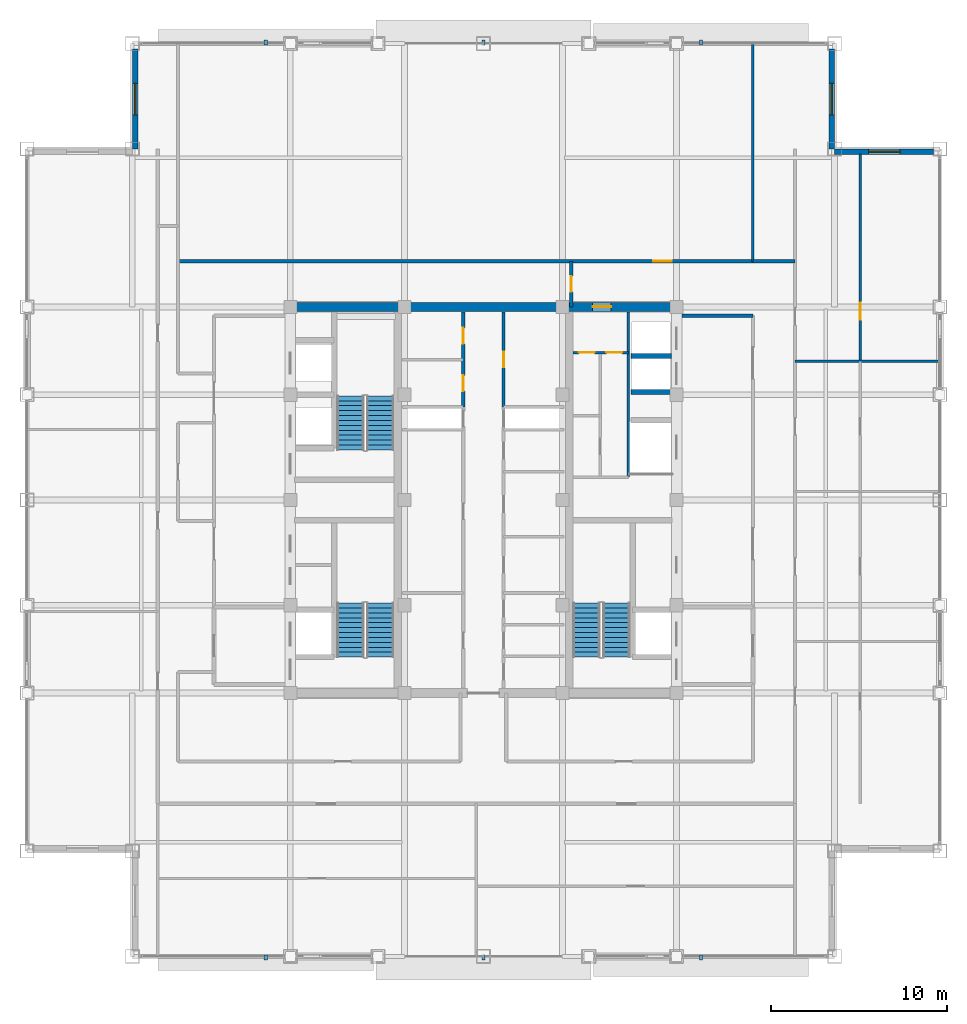
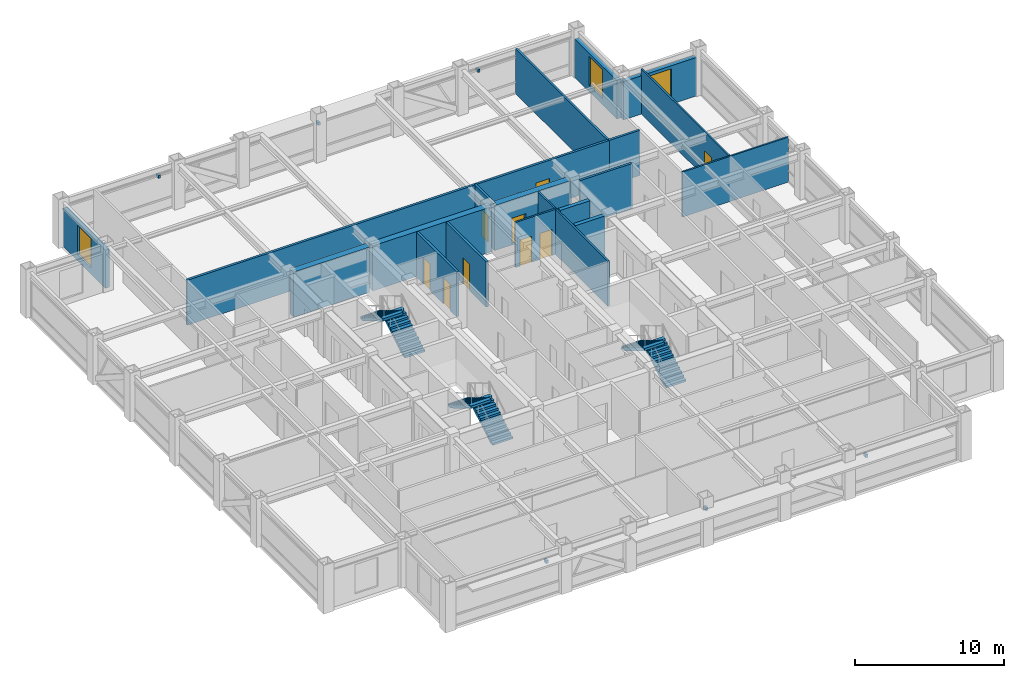
# One storey, part 27 of 32: 19 walls, 9 doors, 6 discrete accessories, 6 stair flights, 3 windows, 12 openings, 3 elements without a shape of their own.
"""IFC4 building model written with IfcOpenShell, lengths in metres."""

from ifc_helpers import new_model, si_unit, direction, frame, frame_2d, origin, origin_2d, place, context, subcontext, project, spatial, polyline, rectangle, outline, extrude, source, transform, mapped, material, layer, layer_set, type_object, element, fill, aggregate, save


model = new_model("IFC4")

# Units and contexts
model_context = context("Model", 3, precision=1e-05, world=origin(), true_north=direction((0.0, 1.0)))
body_context = subcontext(model_context, "Body", "Model", "MODEL_VIEW")
ifc_project = project(units=[si_unit("LENGTHUNIT", "METRE"), si_unit("AREAUNIT", "SQUARE_METRE"), si_unit("VOLUMEUNIT", "CUBIC_METRE"), si_unit("PLANEANGLEUNIT", "RADIAN"), si_unit("MASSUNIT", "GRAM", prefix="KILO")], contexts=[model_context])

# Site, building, storey
site_placement = place(None, origin())
site = spatial("IfcSite", under=ifc_project, at=site_placement, CompositionType="ELEMENT")
building_placement = place(site_placement, origin())
building = spatial("IfcBuilding", under=site, at=building_placement, Name="Khorayat Bourse Tower", CompositionType="ELEMENT")
storey_placement = place(building_placement, frame((0.0, 0.0, 342.300048828125)))
storey = spatial("IfcBuildingStorey", under=building, at=storey_placement, Name="L81", CompositionType="ELEMENT", Elevation=342.300048828125)

# Wall
ifc_material_1 = material(Name="Concrete C52/65", Category="concrete")
ifc_layer_1 = layer(ifc_material_1, 0.5)
ifc_layer_set_1 = layer_set([ifc_layer_1], Name="Concrete C52/65")
wall_type_1 = type_object("IfcWallType", Name="WAL-CORE-500", PredefinedType="SHEAR", material=ifc_layer_set_1)
shared_shape_1 = source(origin(), body_context, "Body", "SweptSolid", [
    extrude(rectangle(XDim=5.89990234375, YDim=0.5, at=frame_2d((2.949951171875, 0.0))), origin(), (0.0, 0.0, 1.0), 3.699951171875),
])
wall_1_placement = place(storey_placement, frame((-10.75, 11.0, 0.0), z_axis=(0.0, 0.0, 1.0), x_axis=(1.0, 0.0, 0.0)))
element("IfcWall", 1, at=wall_1_placement, inside=storey, type_object=wall_type_1, Name="L81 Core Shear Wall PIER-WN", PredefinedType="SHEAR", context=body_context, shape_type="MappedRepresentation", body=[
    mapped(shared_shape_1, transform((0.0, 0.0, 0.0), scale=1.0)),
])

# Wall, opening, door
wall_2_placement = place(storey_placement, frame((4.85009765625, 11.0, 0.0), z_axis=(0.0, 0.0, 1.0), x_axis=(1.0, 0.0, 0.0)))
wall_2 = element("IfcWall", 2, at=wall_2_placement, inside=storey, type_object=wall_type_1, Name="L81 Core Shear Wall PIER-EN", PredefinedType="SHEAR", context=body_context, shape_type="MappedRepresentation", body=[
    mapped(shared_shape_1, transform((0.0, 0.0, 0.0), scale=1.0)),
])
shared_shape_2 = source(origin(), body_context, "Body", "SweptSolid", [
    extrude(rectangle(XDim=1.050048828125, YDim=2.199951171875, at=frame_2d((0.52490234375, 1.10009765625))), frame((0.0, 0.260009765625, 0.0), z_axis=(0.0, -1.0, 0.0), x_axis=(1.0, 0.0, 0.0)), (0.0, 0.0, 1.0), 0.52001953125),
])
opening_1_placement = place(wall_2_placement, frame((1.375, 0.0, 0.0)))
opening_1 = element("IfcOpeningElement", 3, at=opening_1_placement, cuts=wall_2, Name="Opening DI-04", PredefinedType="OPENING", context=body_context, shape_type="MappedRepresentation", body=[
    mapped(shared_shape_2, transform((0.0, 0.0, 0.0), scale=1.0)),
])
ifc_material_2 = material(Name="Fire-rated oak veneer suite entrance door")
door_type_1 = type_object("IfcDoorType", Name="DR-INT-SUITE-1050", OperationType="NOTDEFINED", PredefinedType="DOOR", material=ifc_material_2)
shared_shape_3 = source(origin(), body_context, "Body", "SweptSolid", [
    extrude(rectangle(XDim=1.050048828125, YDim=2.199951171875, at=frame_2d((0.52490234375, 1.10009765625))), frame((0.0, 0.02490234375, 0.0), z_axis=(0.0, -1.0, 0.0), x_axis=(1.0, 0.0, 0.0)), (0.0, 0.0, 1.0), 0.050048828125),
])
door_1_placement = place(opening_1_placement, origin())
door_1 = element("IfcDoor", 4, at=door_1_placement, inside=storey, type_object=door_type_1, Name="L81 Core Washroom Lobby Door", OperationType="SINGLE_SWING_LEFT", OverallHeight=2.199951171875, OverallWidth=1.050048828125, PredefinedType="DOOR", context=body_context, shape_type="MappedRepresentation", body=[
    mapped(shared_shape_3, transform((0.0, 0.0, 0.0), scale=1.0)),
])
fill(opening_1, door_1)

# Wall
shared_shape_4 = source(origin(), body_context, "Body", "SweptSolid", [
    extrude(rectangle(XDim=9.2001953125, YDim=0.5, at=frame_2d((4.60009765625, 0.0))), origin(), (0.0, 0.0, 1.0), 3.699951171875),
])
wall_3_placement = place(storey_placement, frame((-4.60009765625, 11.0, 0.0), z_axis=(0.0, 0.0, 1.0), x_axis=(1.0, 0.0, 0.0)))
element("IfcWall", 5, at=wall_3_placement, inside=storey, type_object=wall_type_1, Name="L81 Core Shear Wall CORE-N", PredefinedType="SHEAR", context=body_context, shape_type="MappedRepresentation", body=[
    mapped(shared_shape_4, transform((0.0, 0.0, 0.0), scale=1.0)),
])

# Wall, opening, window
ifc_material_3 = material(Name="Precast concrete C45/55", Category="concrete")
ifc_layer_2 = layer(ifc_material_3, 0.320068359375)
ifc_layer_set_2 = layer_set([ifc_layer_2], Name="Precast concrete C45/55")
wall_type_2 = type_object("IfcWallType", Name="WAL-EXT-STONE-320", PredefinedType="STANDARD", material=ifc_layer_set_2)
shared_shape_5 = source(origin(), body_context, "Body", "SweptSolid", [
    extrude(rectangle(XDim=5.679931640625, YDim=0.320068359375, at=frame_2d((2.83984375, 0.0))), origin(), (0.0, 0.0, 1.0), 3.15087890625),
])
wall_4_placement = place(storey_placement, frame((20.0, 19.840087890625, 0.0), z_axis=(0.0, 0.0, 1.0), x_axis=(1.0, 0.0, 0.0)))
wall_4 = element("IfcWall", 6, at=wall_4_placement, inside=storey, type_object=wall_type_2, Name="L81 Re-Entrant Notch Limestone Wall NE-H", PredefinedType="STANDARD", context=body_context, shape_type="MappedRepresentation", body=[
    mapped(shared_shape_5, transform((0.0, 0.0, 0.0), scale=1.0)),
])
shared_shape_6 = source(origin(), body_context, "Body", "SweptSolid", [
    extrude(rectangle(XDim=1.800048828125, YDim=2.39990234375, at=frame_2d((0.89990234375, 1.199951171875))), frame((0.0, 0.169921875, 0.0), z_axis=(0.0, -1.0, 0.0), x_axis=(1.0, 0.0, 0.0)), (0.0, 0.0, 1.0), 0.340087890625),
])
opening_2_placement = place(wall_4_placement, frame((1.93994140625, 0.0, 0.5)))
opening_2 = element("IfcOpeningElement", 7, at=opening_2_placement, cuts=wall_4, Name="Opening WN-04", PredefinedType="OPENING", context=body_context, shape_type="MappedRepresentation", body=[
    mapped(shared_shape_6, transform((0.0, 0.0, 0.0), scale=1.0)),
])
ifc_material_4 = material(Name="Low-E acoustic laminated double glazing", Category="glass")
window_type = type_object("IfcWindowType", Name="WIN-NOTCH-1800x2400", PartitioningType="SINGLE_PANEL", PredefinedType="WINDOW", material=ifc_material_4)
shared_shape_7 = source(origin(), body_context, "Body", "SweptSolid", [
    extrude(rectangle(XDim=1.800048828125, YDim=2.39990234375, at=frame_2d((0.89990234375, 1.199951171875))), frame((0.0, 0.030029296875, 0.0), z_axis=(0.0, -1.0, 0.0), x_axis=(1.0, 0.0, 0.0)), (0.0, 0.0, 1.0), 0.06005859375),
])
window_1_placement = place(opening_2_placement, origin())
window_1 = element("IfcWindow", 8, at=window_1_placement, inside=storey, type_object=window_type, Name="L81 Facade Window 1", OverallHeight=2.39990234375, OverallWidth=1.800048828125, PartitioningType="SINGLE_PANEL", PredefinedType="WINDOW", context=body_context, shape_type="MappedRepresentation", body=[
    mapped(shared_shape_7, transform((0.0, 0.0, 0.0), scale=1.0)),
])
fill(opening_2, window_1)

wall_5_placement = place(storey_placement, frame((19.840087890625, 20.0, 0.0), z_axis=(0.0, 0.0, 1.0), x_axis=(0.0, 1.0, 0.0)))
wall_5 = element("IfcWall", 9, at=wall_5_placement, inside=storey, type_object=wall_type_2, Name="L81 Re-Entrant Notch Limestone Wall NE-V", PredefinedType="STANDARD", context=body_context, shape_type="MappedRepresentation", body=[
    mapped(shared_shape_5, transform((0.0, 0.0, 0.0), scale=1.0)),
])
opening_3_placement = place(wall_5_placement, frame((1.93994140625, 0.0, 0.5)))
opening_3 = element("IfcOpeningElement", 10, at=opening_3_placement, cuts=wall_5, Name="Opening WN-04", PredefinedType="OPENING", context=body_context, shape_type="MappedRepresentation", body=[
    mapped(shared_shape_6, transform((0.0, 0.0, 0.0), scale=1.0)),
])
window_2_placement = place(opening_3_placement, origin())
window_2 = element("IfcWindow", 11, at=window_2_placement, inside=storey, type_object=window_type, Name="L81 Facade Window 1", OverallHeight=2.39990234375, OverallWidth=1.800048828125, PartitioningType="SINGLE_PANEL", PredefinedType="WINDOW", context=body_context, shape_type="MappedRepresentation", body=[
    mapped(shared_shape_7, transform((0.0, 0.0, 0.0), scale=1.0)),
])
fill(opening_3, window_2)

wall_6_placement = place(storey_placement, frame((-19.840087890625, 20.0, 0.0), z_axis=(0.0, 0.0, 1.0), x_axis=(0.0, 1.0, 0.0)))
wall_6 = element("IfcWall", 12, at=wall_6_placement, inside=storey, type_object=wall_type_2, Name="L81 Re-Entrant Notch Limestone Wall NW-V", PredefinedType="STANDARD", context=body_context, shape_type="MappedRepresentation", body=[
    mapped(shared_shape_5, transform((0.0, 0.0, 0.0), scale=1.0)),
])
opening_4_placement = place(wall_6_placement, frame((1.93994140625, 0.0, 0.5)))
opening_4 = element("IfcOpeningElement", 13, at=opening_4_placement, cuts=wall_6, Name="Opening WN-04", PredefinedType="OPENING", context=body_context, shape_type="MappedRepresentation", body=[
    mapped(shared_shape_6, transform((0.0, 0.0, 0.0), scale=1.0)),
])
window_3_placement = place(opening_4_placement, origin())
window_3 = element("IfcWindow", 14, at=window_3_placement, inside=storey, type_object=window_type, Name="L81 Facade Window 1", OverallHeight=2.39990234375, OverallWidth=1.800048828125, PartitioningType="SINGLE_PANEL", PredefinedType="WINDOW", context=body_context, shape_type="MappedRepresentation", body=[
    mapped(shared_shape_7, transform((0.0, 0.0, 0.0), scale=1.0)),
])
fill(opening_4, window_3)

# Walls
ifc_material_5 = material(Name="Concrete C50/60", Category="concrete")
ifc_layer_3 = layer(ifc_material_5, 0.300048828125)
ifc_layer_set_3 = layer_set([ifc_layer_3], Name="Concrete C50/60")
wall_type_3 = type_object("IfcWallType", Name="WAL-SHAFT-300", PredefinedType="SHEAR", material=ifc_layer_set_3)
shared_shape_8 = source(origin(), body_context, "Body", "SweptSolid", [
    extrude(rectangle(XDim=2.300048828125, YDim=0.300048828125, at=frame_2d((1.14990234375, 0.0))), origin(), (0.0, 0.0, 1.0), 3.699951171875),
])
for number, where, z_axis, x_axis, name in (
    (15, (8.39990234375, 6.14990234375, 0.0), (0.0, 0.0, 1.0), (1.0, 0.0, 0.0), "L81 Partition WAL-L81-EPIER-H3S"),
    (16, (8.39990234375, 8.199951171875, 0.0), (0.0, 0.0, 1.0), (1.0, 0.0, 0.0), "L81 Partition WAL-L81-EPIER-H34"),
):
    element("IfcWall", number, at=place(storey_placement, frame(where, z_axis=z_axis, x_axis=x_axis)), inside=storey, type_object=wall_type_3, Name=name, PredefinedType="SHEAR", context=body_context, shape_type="MappedRepresentation", body=[
        mapped(shared_shape_8, transform((0.0, 0.0, 0.0), scale=1.0)),
    ])
ifc_material_6 = material(Name="Moisture-resistant masonry partition", Category="masonry")
ifc_layer_4 = layer(ifc_material_6, 0.139892578125)
ifc_layer_set_4 = layer_set([ifc_layer_4], Name="Moisture-resistant masonry partition")
wall_type_4 = type_object("IfcWallType", Name="WAL-PART-WET-140", PredefinedType="PARTITIONING", material=ifc_layer_set_4)
shared_shape_9 = source(origin(), body_context, "Body", "SweptSolid", [
    extrude(rectangle(XDim=9.39990234375, YDim=0.139892578125, at=frame_2d((4.699951171875, 0.0))), origin(), (0.0, 0.0, 1.0), 3.699951171875),
])
wall_7_placement = place(storey_placement, frame((8.25, 1.300048828125, 0.0), z_axis=(0.0, 0.0, 1.0), x_axis=(0.0, 1.0, 0.0)))
element("IfcWall", 17, at=wall_7_placement, inside=storey, type_object=wall_type_4, Name="L81 Partition WAL-L81-ECORE-E", PredefinedType="PARTITIONING", context=body_context, shape_type="MappedRepresentation", body=[
    mapped(shared_shape_9, transform((0.0, 0.0, 0.0), scale=1.0)),
])

# Wall, openings, doors
shared_shape_10 = source(origin(), body_context, "Body", "SweptSolid", [
    extrude(rectangle(XDim=3.14990234375, YDim=0.139892578125, at=frame_2d((1.574951171875, 0.0))), origin(), (0.0, 0.0, 1.0), 3.699951171875),
])
wall_8_placement = place(storey_placement, frame((5.10009765625, 8.39990234375, 0.0), z_axis=(0.0, 0.0, 1.0), x_axis=(1.0, 0.0, 0.0)))
wall_8 = element("IfcWall", 18, at=wall_8_placement, inside=storey, type_object=wall_type_4, Name="L81 Partition WAL-L81-ECW-TOP", PredefinedType="PARTITIONING", context=body_context, shape_type="MappedRepresentation", body=[
    mapped(shared_shape_10, transform((0.0, 0.0, 0.0), scale=1.0)),
])
shared_shape_11 = source(origin(), body_context, "Body", "SweptSolid", [
    extrude(rectangle(XDim=0.89990234375, YDim=2.14990234375, at=frame_2d((0.449951171875, 1.074951171875))), frame((0.0, 0.079833984375, 0.0), z_axis=(0.0, -1.0, 0.0), x_axis=(1.0, 0.0, 0.0)), (0.0, 0.0, 1.0), 0.159912109375),
])
opening_5_placement = place(wall_8_placement, frame((0.330078125, 0.0, 0.0)))
opening_5 = element("IfcOpeningElement", 19, at=opening_5_placement, cuts=wall_8, Name="Opening DI-06", PredefinedType="OPENING", context=body_context, shape_type="MappedRepresentation", body=[
    mapped(shared_shape_11, transform((0.0, 0.0, 0.0), scale=1.0)),
])
opening_6_placement = place(wall_8_placement, frame((1.89990234375, 0.0, 0.0)))
opening_6 = element("IfcOpeningElement", 20, at=opening_6_placement, cuts=wall_8, Name="Opening DI-06", PredefinedType="OPENING", context=body_context, shape_type="MappedRepresentation", body=[
    mapped(shared_shape_11, transform((0.0, 0.0, 0.0), scale=1.0)),
])
ifc_material_7 = material(Name="Moisture-resistant laminate washroom door")
door_type_2 = type_object("IfcDoorType", Name="DR-INT-WC-900", OperationType="NOTDEFINED", PredefinedType="DOOR", material=ifc_material_7)
shared_shape_12 = source(origin(), body_context, "Body", "SweptSolid", [
    extrude(rectangle(XDim=0.89990234375, YDim=2.14990234375, at=frame_2d((0.449951171875, 1.074951171875))), frame((0.0, 0.02490234375, 0.0), z_axis=(0.0, -1.0, 0.0), x_axis=(1.0, 0.0, 0.0)), (0.0, 0.0, 1.0), 0.050048828125),
])
door_2_placement = place(opening_5_placement, origin())
door_2 = element("IfcDoor", 21, at=door_2_placement, inside=storey, type_object=door_type_2, Name="L81 Accessible WC Door", OperationType="SINGLE_SWING_LEFT", OverallHeight=2.14990234375, OverallWidth=0.89990234375, PredefinedType="DOOR", context=body_context, shape_type="MappedRepresentation", body=[
    mapped(shared_shape_12, transform((0.0, 0.0, 0.0), scale=1.0)),
])
fill(opening_5, door_2)
door_3_placement = place(opening_6_placement, origin())
door_3 = element("IfcDoor", 22, at=door_3_placement, inside=storey, type_object=door_type_2, Name="L81 Shared Washroom Door", OperationType="SINGLE_SWING_RIGHT", OverallHeight=2.14990234375, OverallWidth=0.89990234375, PredefinedType="DOOR", context=body_context, shape_type="MappedRepresentation", body=[
    mapped(shared_shape_12, transform((0.0, 0.0, 0.0), scale=1.0)),
])
fill(opening_6, door_3)

# Wall
ifc_material_8 = material(Name="Gypsum plasterboard acoustic stud wall")
ifc_layer_5 = layer(ifc_material_8, 0.179931640625)
ifc_layer_set_5 = layer_set([ifc_layer_5], Name="Gypsum plasterboard acoustic stud wall")
wall_type_5 = type_object("IfcWallType", Name="WAL-PART-CORR-180", PredefinedType="PARTITIONING", material=ifc_layer_set_5)
shared_shape_13 = source(origin(), body_context, "Body", "SweptSolid", [
    extrude(rectangle(XDim=4.050048828125, YDim=0.179931640625, at=frame_2d((2.02490234375, 0.0))), origin(), (0.0, 0.0, 1.0), 3.699951171875),
])
wall_9_placement = place(storey_placement, frame((11.300048828125, 10.5, 0.0), z_axis=(0.0, 0.0, 1.0), x_axis=(1.0, 0.0, 0.0)))
element("IfcWall", 23, at=wall_9_placement, inside=storey, type_object=wall_type_5, Name="L81 Partition WAL-L81-ELOB-N", PredefinedType="PARTITIONING", context=body_context, shape_type="MappedRepresentation", body=[
    mapped(shared_shape_13, transform((0.0, 0.0, 0.0), scale=1.0)),
])

# Wall, openings, doors
shared_shape_14 = source(origin(), body_context, "Body", "SweptSolid", [
    extrude(rectangle(XDim=5.39990234375, YDim=0.179931640625, at=frame_2d((2.699951171875, 0.0))), origin(), (0.0, 0.0, 1.0), 3.699951171875),
])
wall_10_placement = place(storey_placement, frame((-1.14990234375, 5.300048828125, 0.0), z_axis=(0.0, 0.0, 1.0), x_axis=(0.0, 1.0, 0.0)))
wall_10 = element("IfcWall", 24, at=wall_10_placement, inside=storey, type_object=wall_type_5, Name="L81 Partition WAL-L81-FB2W-L", PredefinedType="PARTITIONING", context=body_context, shape_type="MappedRepresentation", body=[
    mapped(shared_shape_14, transform((0.0, 0.0, 0.0), scale=1.0)),
])
shared_shape_15 = source(origin(), body_context, "Body", "SweptSolid", [
    extrude(rectangle(XDim=0.89990234375, YDim=2.14990234375, at=frame_2d((0.449951171875, 1.074951171875))), frame((0.0, 0.099853515625, 0.0), z_axis=(0.0, -1.0, 0.0), x_axis=(1.0, 0.0, 0.0)), (0.0, 0.0, 1.0), 0.199951171875),
])
opening_7_placement = place(wall_10_placement, frame((0.89990234375, 0.0, 0.0)))
opening_7 = element("IfcOpeningElement", 25, at=opening_7_placement, cuts=wall_10, Name="Opening DI-06", PredefinedType="OPENING", context=body_context, shape_type="MappedRepresentation", body=[
    mapped(shared_shape_15, transform((0.0, 0.0, 0.0), scale=1.0)),
])
opening_8_placement = place(wall_10_placement, frame((3.60009765625, 0.0, 0.0)))
opening_8 = element("IfcOpeningElement", 26, at=opening_8_placement, cuts=wall_10, Name="Opening DI-06", PredefinedType="OPENING", context=body_context, shape_type="MappedRepresentation", body=[
    mapped(shared_shape_15, transform((0.0, 0.0, 0.0), scale=1.0)),
])
door_4_placement = place(opening_7_placement, origin())
door_4 = element("IfcDoor", 27, at=door_4_placement, inside=storey, type_object=door_type_2, Name="L81 BMS Server Plant Room Door", OperationType="SINGLE_SWING_RIGHT", OverallHeight=2.14990234375, OverallWidth=0.89990234375, PredefinedType="DOOR", context=body_context, shape_type="MappedRepresentation", body=[
    mapped(shared_shape_12, transform((0.0, 0.0, 0.0), scale=1.0)),
])
fill(opening_7, door_4)
door_5_placement = place(opening_8_placement, origin())
door_5 = element("IfcDoor", 28, at=door_5_placement, inside=storey, type_object=door_type_2, Name="L81 Executive Supply Store Door", OperationType="SINGLE_SWING_LEFT", OverallHeight=2.14990234375, OverallWidth=0.89990234375, PredefinedType="DOOR", context=body_context, shape_type="MappedRepresentation", body=[
    mapped(shared_shape_12, transform((0.0, 0.0, 0.0), scale=1.0)),
])
fill(opening_8, door_5)

# Wall, opening, door
wall_11_placement = place(storey_placement, frame((1.14990234375, 5.300048828125, 0.0), z_axis=(0.0, 0.0, 1.0), x_axis=(0.0, 1.0, 0.0)))
wall_11 = element("IfcWall", 29, at=wall_11_placement, inside=storey, type_object=wall_type_5, Name="L81 Partition WAL-L81-FB2E-L", PredefinedType="PARTITIONING", context=body_context, shape_type="MappedRepresentation", body=[
    mapped(shared_shape_14, transform((0.0, 0.0, 0.0), scale=1.0)),
])
opening_9_placement = place(wall_11_placement, frame((2.25, 0.0, 0.0)))
opening_9 = element("IfcOpeningElement", 30, at=opening_9_placement, cuts=wall_11, Name="Opening DI-06", PredefinedType="OPENING", context=body_context, shape_type="MappedRepresentation", body=[
    mapped(shared_shape_15, transform((0.0, 0.0, 0.0), scale=1.0)),
])
door_6_placement = place(opening_9_placement, origin())
door_6 = element("IfcDoor", 31, at=door_6_placement, inside=storey, type_object=door_type_2, Name="L81 High-Rise Archive Store Door", OperationType="SINGLE_SWING_RIGHT", OverallHeight=2.14990234375, OverallWidth=0.89990234375, PredefinedType="DOOR", context=body_context, shape_type="MappedRepresentation", body=[
    mapped(shared_shape_12, transform((0.0, 0.0, 0.0), scale=1.0)),
])
fill(opening_9, door_6)

shared_shape_16 = source(origin(), body_context, "Body", "SweptSolid", [
    extrude(rectangle(XDim=2.60009765625, YDim=0.179931640625, at=frame_2d((1.300048828125, 0.0))), origin(), (0.0, 0.0, 1.0), 3.699951171875),
])
wall_12_placement = place(storey_placement, frame((5.0, 11.0, 0.0), z_axis=(0.0, 0.0, 1.0), x_axis=(0.0, 1.0, 0.0)))
wall_12 = element("IfcWall", 32, at=wall_12_placement, inside=storey, type_object=wall_type_5, Name="L81 Partition WAL-L81-CORRNE-W", PredefinedType="PARTITIONING", context=body_context, shape_type="MappedRepresentation", body=[
    mapped(shared_shape_16, transform((0.0, 0.0, 0.0), scale=1.0)),
])
opening_10_placement = place(wall_12_placement, frame((0.85009765625, 0.0, 0.0)))
opening_10 = element("IfcOpeningElement", 33, at=opening_10_placement, cuts=wall_12, Name="Opening DI-06", PredefinedType="OPENING", context=body_context, shape_type="MappedRepresentation", body=[
    mapped(shared_shape_15, transform((0.0, 0.0, 0.0), scale=1.0)),
])
door_7_placement = place(opening_10_placement, origin())
door_7 = element("IfcDoor", 34, at=door_7_placement, inside=storey, type_object=door_type_2, Name="L81 North Core Pantry Door", OperationType="SINGLE_SWING_LEFT", OverallHeight=2.14990234375, OverallWidth=0.89990234375, PredefinedType="DOOR", context=body_context, shape_type="MappedRepresentation", body=[
    mapped(shared_shape_12, transform((0.0, 0.0, 0.0), scale=1.0)),
])
fill(opening_10, door_7)

# Wall
shared_shape_17 = source(origin(), body_context, "Body", "SweptSolid", [
    extrude(rectangle(XDim=2.39990234375, YDim=0.179931640625, at=frame_2d((1.199951171875, 0.0))), origin(), (0.0, 0.0, 1.0), 3.699951171875),
])
wall_13_placement = place(storey_placement, frame((15.35009765625, 13.60009765625, 0.0), z_axis=(0.0, 0.0, 1.0), x_axis=(1.0, 0.0, 0.0)))
element("IfcWall", 35, at=wall_13_placement, inside=storey, type_object=wall_type_5, Name="L81 Partition WAL-L81-GALE-N", PredefinedType="PARTITIONING", context=body_context, shape_type="MappedRepresentation", body=[
    mapped(shared_shape_17, transform((0.0, 0.0, 0.0), scale=1.0)),
])

# Wall, opening, door
shared_shape_18 = source(origin(), body_context, "Body", "SweptSolid", [
    extrude(rectangle(XDim=32.75, YDim=0.179931640625, at=frame_2d((16.375, 0.0))), origin(), (0.0, 0.0, 1.0), 3.699951171875),
])
wall_14_placement = place(storey_placement, frame((-17.39990234375, 13.60009765625, 0.0), z_axis=(0.0, 0.0, 1.0), x_axis=(1.0, 0.0, 0.0)))
wall_14 = element("IfcWall", 36, at=wall_14_placement, inside=storey, type_object=wall_type_5, Name="L81 Partition WAL-L81-NCORR", PredefinedType="PARTITIONING", context=body_context, shape_type="MappedRepresentation", body=[
    mapped(shared_shape_18, transform((0.0, 0.0, 0.0), scale=1.0)),
])
shared_shape_19 = source(origin(), body_context, "Body", "SweptSolid", [
    extrude(rectangle(XDim=1.050048828125, YDim=2.199951171875, at=frame_2d((0.52490234375, 1.10009765625))), frame((0.0, 0.099853515625, 0.0), z_axis=(0.0, -1.0, 0.0), x_axis=(1.0, 0.0, 0.0)), (0.0, 0.0, 1.0), 0.199951171875),
])
opening_11_placement = place(wall_14_placement, frame((27.074951171875, 0.0, 0.0)))
opening_11 = element("IfcOpeningElement", 37, at=opening_11_placement, cuts=wall_14, Name="Opening DI-04", PredefinedType="OPENING", context=body_context, shape_type="MappedRepresentation", body=[
    mapped(shared_shape_19, transform((0.0, 0.0, 0.0), scale=1.0)),
])
door_8_placement = place(opening_11_placement, origin())
door_8 = element("IfcDoor", 38, at=door_8_placement, inside=storey, type_object=door_type_1, Name="L81 Members Club Room N1 Door", OperationType="SINGLE_SWING_RIGHT", OverallHeight=2.199951171875, OverallWidth=1.050048828125, PredefinedType="DOOR", context=body_context, shape_type="MappedRepresentation", body=[
    mapped(shared_shape_3, transform((0.0, 0.0, 0.0), scale=1.0)),
])
fill(opening_11, door_8)

# Walls
ifc_material_9 = material(Name="Gypsum plasterboard twin-frame partition")
ifc_layer_6 = layer(ifc_material_9, 0.14990234375)
ifc_layer_set_6 = layer_set([ifc_layer_6], Name="Gypsum plasterboard twin-frame partition")
wall_type_6 = type_object("IfcWallType", Name="WAL-PART-SUITE-150", PredefinedType="PARTITIONING", material=ifc_layer_set_6)
shared_shape_20 = source(origin(), body_context, "Body", "SweptSolid", [
    extrude(rectangle(XDim=12.39990234375, YDim=0.14990234375, at=frame_2d((6.199951171875, 0.0))), origin(), (0.0, 0.0, 1.0), 3.699951171875),
])
wall_15_placement = place(storey_placement, frame((15.35009765625, 13.60009765625, 0.0), z_axis=(0.0, 0.0, 1.0), x_axis=(0.0, 1.0, 0.0)))
element("IfcWall", 39, at=wall_15_placement, inside=storey, type_object=wall_type_6, Name="L81 Partition WAL-L81-NCE-END", PredefinedType="PARTITIONING", context=body_context, shape_type="MappedRepresentation", body=[
    mapped(shared_shape_20, transform((0.0, 0.0, 0.0), scale=1.0)),
])
ifc_material_10 = material(Name="Gypsum plasterboard partition")
ifc_layer_7 = layer(ifc_material_10, 0.125)
ifc_layer_set_7 = layer_set([ifc_layer_7], Name="Gypsum plasterboard partition")
wall_type_7 = type_object("IfcWallType", Name="WAL-PART-ROOM-125", PredefinedType="PARTITIONING", material=ifc_layer_set_7)
shared_shape_21 = source(origin(), body_context, "Body", "SweptSolid", [
    extrude(rectangle(XDim=8.25, YDim=0.125, at=frame_2d((4.125, 0.0))), origin(), (0.0, 0.0, 1.0), 3.699951171875),
])
wall_16_placement = place(storey_placement, frame((17.75, 7.89990234375, 0.0), z_axis=(0.0, 0.0, 1.0), x_axis=(1.0, 0.0, 0.0)))
element("IfcWall", 40, at=wall_16_placement, inside=storey, type_object=wall_type_7, Name="L81 Partition WAL-L81-EDV-3", PredefinedType="PARTITIONING", context=body_context, shape_type="MappedRepresentation", body=[
    mapped(shared_shape_21, transform((0.0, 0.0, 0.0), scale=1.0)),
])

# Wall, opening, door
shared_shape_22 = source(origin(), body_context, "Body", "SweptSolid", [
    extrude(rectangle(XDim=11.800048828125, YDim=0.125, at=frame_2d((5.89990234375, 0.0))), origin(), (0.0, 0.0, 1.0), 3.699951171875),
])
wall_17_placement = place(storey_placement, frame((21.46240234375, 7.89990234375, 0.0), z_axis=(0.0, 0.0, 1.0), x_axis=(0.0, 1.0, 0.0)))
wall_17 = element("IfcWall", 41, at=wall_17_placement, inside=storey, type_object=wall_type_7, Name="L81 Partition WAL-L81-EDP-4", PredefinedType="PARTITIONING", context=body_context, shape_type="MappedRepresentation", body=[
    mapped(shared_shape_22, transform((0.0, 0.0, 0.0), scale=1.0)),
])
shared_shape_23 = source(origin(), body_context, "Body", "SweptSolid", [
    extrude(rectangle(XDim=0.949951171875, YDim=2.14990234375, at=frame_2d((0.47509765625, 1.074951171875))), frame((0.0, 0.072509765625, 0.0), z_axis=(0.0, -1.0, 0.0), x_axis=(1.0, 0.0, 0.0)), (0.0, 0.0, 1.0), 0.14501953125),
])
opening_12_placement = place(wall_17_placement, frame((2.375, 0.0, 0.0)))
opening_12 = element("IfcOpeningElement", 42, at=opening_12_placement, cuts=wall_17, Name="Opening DI-05", PredefinedType="OPENING", context=body_context, shape_type="MappedRepresentation", body=[
    mapped(shared_shape_23, transform((0.0, 0.0, 0.0), scale=1.0)),
])
ifc_material_11 = material(Name="Acoustic oak veneer office door")
door_type_3 = type_object("IfcDoorType", Name="DR-INT-OFFICE-950", OperationType="NOTDEFINED", PredefinedType="DOOR", material=ifc_material_11)
shared_shape_24 = source(origin(), body_context, "Body", "SweptSolid", [
    extrude(rectangle(XDim=0.949951171875, YDim=2.14990234375, at=frame_2d((0.47509765625, 1.074951171875))), frame((0.0, 0.02490234375, 0.0), z_axis=(0.0, -1.0, 0.0), x_axis=(1.0, 0.0, 0.0)), (0.0, 0.0, 1.0), 0.050048828125),
])
door_9_placement = place(opening_12_placement, origin())
door_9 = element("IfcDoor", 43, at=door_9_placement, inside=storey, type_object=door_type_3, Name="L81 Members Club Room E4B Door", OperationType="SINGLE_SWING_LEFT", OverallHeight=2.14990234375, OverallWidth=0.949951171875, PredefinedType="DOOR", context=body_context, shape_type="MappedRepresentation", body=[
    mapped(shared_shape_24, transform((0.0, 0.0, 0.0), scale=1.0)),
])
fill(opening_12, door_9)

# Stair, stair flights
ifc_material_12 = material(Name="Concrete C40/50", Category="concrete")
stair_type = type_object("IfcStairType", Name="STR-CORE-1550", PredefinedType="HALF_TURN_STAIR", material=ifc_material_12)
stair_1_placement = place(storey_placement, origin())
stair_1 = element("IfcStair", 44, at=stair_1_placement, inside=storey, type_object=stair_type, Name="L81 Exit Stair ST-1", PredefinedType="HALF_TURN_STAIR")
stair_flight_type = type_object("IfcStairFlightType", Name="FLT-CORE-1550", PredefinedType="STRAIGHT", material=ifc_material_12)
shared_shape_25 = source(origin(), body_context, "Body", "SweptSolid", [
    extrude(outline(polyline([(0.0, 0.0), (0.0, 0.166748046875), (0.280029296875, 0.166748046875), (0.280029296875, 0.333251953125), (0.56005859375, 0.333251953125), (0.56005859375, 0.5), (0.840087890625, 0.5), (0.840087890625, 0.666748046875), (1.1201171875, 0.666748046875), (1.1201171875, 0.833251953125), (1.39990234375, 0.833251953125), (1.39990234375, 1.0), (1.679931640625, 1.0), (1.679931640625, 1.166748046875), (1.9599609375, 1.166748046875), (1.9599609375, 1.333251953125), (2.239990234375, 1.333251953125), (2.239990234375, 1.5), (2.52001953125, 1.5), (2.52001953125, 1.666748046875), (2.800048828125, 1.666748046875), (2.800048828125, 1.833251953125), (3.080078125, 1.833251953125), (3.080078125, 2.0), (3.080078125, 1.6240234375), (0.351806640625, 0.0), (0.0, 0.0)])), frame((0.0, 0.77490234375, 0.0), z_axis=(0.0, -1.0, 0.0), x_axis=(1.0, 0.0, 0.0)), (0.0, 0.0, 1.0), 1.550048828125),
])
stair_flight_1_placement = place(storey_placement, frame((-5.875, -8.949951171875, 0.0), z_axis=(0.0, 0.0, 1.0), x_axis=(0.0, 1.0, 0.0)))
stair_flight_1 = element("IfcStairFlight", 45, at=stair_flight_1_placement, type_object=stair_flight_type, Name="ST-1 flight 1", NumberOfRisers=12, NumberOfTreads=11, PredefinedType="STRAIGHT", RiserHeight=0.166666667, TreadLength=0.28, context=body_context, shape_type="MappedRepresentation", body=[
    mapped(shared_shape_25, transform((0.0, 0.0, 0.0), scale=1.0)),
])
stair_flight_2_placement = place(storey_placement, frame((-7.574951171875, -5.8701171875, 2.0), z_axis=(0.0, 0.0, 1.0), x_axis=(0.0, -1.0, 0.0)))
stair_flight_2 = element("IfcStairFlight", 46, at=stair_flight_2_placement, type_object=stair_flight_type, Name="ST-1 flight 2", NumberOfRisers=12, NumberOfTreads=11, PredefinedType="STRAIGHT", RiserHeight=0.166666667, TreadLength=0.28, context=body_context, shape_type="MappedRepresentation", body=[
    mapped(shared_shape_25, transform((0.0, 0.0, 0.0), scale=1.0)),
])
aggregate(stair_1, [stair_flight_1, stair_flight_2])

stair_2_placement = place(storey_placement, origin())
stair_2 = element("IfcStair", 47, at=stair_2_placement, inside=storey, type_object=stair_type, Name="L81 Exit Stair ST-2", PredefinedType="HALF_TURN_STAIR")
stair_flight_3_placement = place(storey_placement, frame((-5.875, 2.85009765625, 0.0), z_axis=(0.0, 0.0, 1.0), x_axis=(0.0, 1.0, 0.0)))
stair_flight_3 = element("IfcStairFlight", 48, at=stair_flight_3_placement, type_object=stair_flight_type, Name="ST-2 flight 1", NumberOfRisers=12, NumberOfTreads=11, PredefinedType="STRAIGHT", RiserHeight=0.166666667, TreadLength=0.28, context=body_context, shape_type="MappedRepresentation", body=[
    mapped(shared_shape_25, transform((0.0, 0.0, 0.0), scale=1.0)),
])
stair_flight_4_placement = place(storey_placement, frame((-7.574951171875, 5.929931640625, 2.0), z_axis=(0.0, 0.0, 1.0), x_axis=(0.0, -1.0, 0.0)))
stair_flight_4 = element("IfcStairFlight", 49, at=stair_flight_4_placement, type_object=stair_flight_type, Name="ST-2 flight 2", NumberOfRisers=12, NumberOfTreads=11, PredefinedType="STRAIGHT", RiserHeight=0.166666667, TreadLength=0.28, context=body_context, shape_type="MappedRepresentation", body=[
    mapped(shared_shape_25, transform((0.0, 0.0, 0.0), scale=1.0)),
])
aggregate(stair_2, [stair_flight_3, stair_flight_4])

stair_3_placement = place(storey_placement, origin())
stair_3 = element("IfcStair", 50, at=stair_3_placement, inside=storey, type_object=stair_type, Name="L81 Exit Stair ST-3", PredefinedType="HALF_TURN_STAIR")
stair_flight_5_placement = place(storey_placement, frame((7.574951171875, -8.949951171875, 0.0), z_axis=(0.0, 0.0, 1.0), x_axis=(0.0, 1.0, 0.0)))
stair_flight_5 = element("IfcStairFlight", 51, at=stair_flight_5_placement, type_object=stair_flight_type, Name="ST-3 flight 1", NumberOfRisers=12, NumberOfTreads=11, PredefinedType="STRAIGHT", RiserHeight=0.166666667, TreadLength=0.28, context=body_context, shape_type="MappedRepresentation", body=[
    mapped(shared_shape_25, transform((0.0, 0.0, 0.0), scale=1.0)),
])
stair_flight_6_placement = place(storey_placement, frame((5.875, -5.8701171875, 2.0), z_axis=(0.0, 0.0, 1.0), x_axis=(0.0, -1.0, 0.0)))
stair_flight_6 = element("IfcStairFlight", 52, at=stair_flight_6_placement, type_object=stair_flight_type, Name="ST-3 flight 2", NumberOfRisers=12, NumberOfTreads=11, PredefinedType="STRAIGHT", RiserHeight=0.166666667, TreadLength=0.28, context=body_context, shape_type="MappedRepresentation", body=[
    mapped(shared_shape_25, transform((0.0, 0.0, 0.0), scale=1.0)),
])
aggregate(stair_3, [stair_flight_5, stair_flight_6])

# Discrete accessories
ifc_material_13 = material(Name="Steel EN 10025-2 S355J2", Category="steel")
discrete_accessory_type = type_object("IfcDiscreteAccessoryType", Name="ACC-SHADE-BRACKET", PredefinedType="BRACKET", material=ifc_material_13)
shared_shape_26 = source(origin(), body_context, "Body", "SweptSolid", [
    extrude(rectangle(XDim=0.179931640625, YDim=0.300048828125, at=origin_2d()), origin(), (0.0, 0.0, 1.0), 0.239990234375),
])
for number, where, z_axis, x_axis, name in (
    (53, (-12.39990234375, -26.06005859375, 2.7998046875), (0.0, 0.0, 1.0), (1.0, 0.0, 0.0), "L81 Sunshade Support Bracket S-1"),
    (54, (0.0, -26.06005859375, 2.7998046875), (0.0, 0.0, 1.0), (1.0, 0.0, 0.0), "L81 Sunshade Support Bracket S-2"),
    (55, (12.39990234375, -26.06005859375, 2.7998046875), (0.0, 0.0, 1.0), (1.0, 0.0, 0.0), "L81 Sunshade Support Bracket S-3"),
    (56, (-12.39990234375, 26.06005859375, 2.7998046875), (0.0, 0.0, 1.0), (1.0, 0.0, 0.0), "L81 Sunshade Support Bracket N-1"),
    (57, (0.0, 26.06005859375, 2.7998046875), (0.0, 0.0, 1.0), (1.0, 0.0, 0.0), "L81 Sunshade Support Bracket N-2"),
    (58, (12.39990234375, 26.06005859375, 2.7998046875), (0.0, 0.0, 1.0), (1.0, 0.0, 0.0), "L81 Sunshade Support Bracket N-3"),
):
    element("IfcDiscreteAccessory", number, at=place(storey_placement, frame(where, z_axis=z_axis, x_axis=x_axis)), inside=storey, type_object=discrete_accessory_type, Name=name, PredefinedType="BRACKET", context=body_context, shape_type="MappedRepresentation", body=[
        mapped(shared_shape_26, transform((0.0, 0.0, 0.0), scale=1.0)),
    ])

save(model, "model.ifc")
